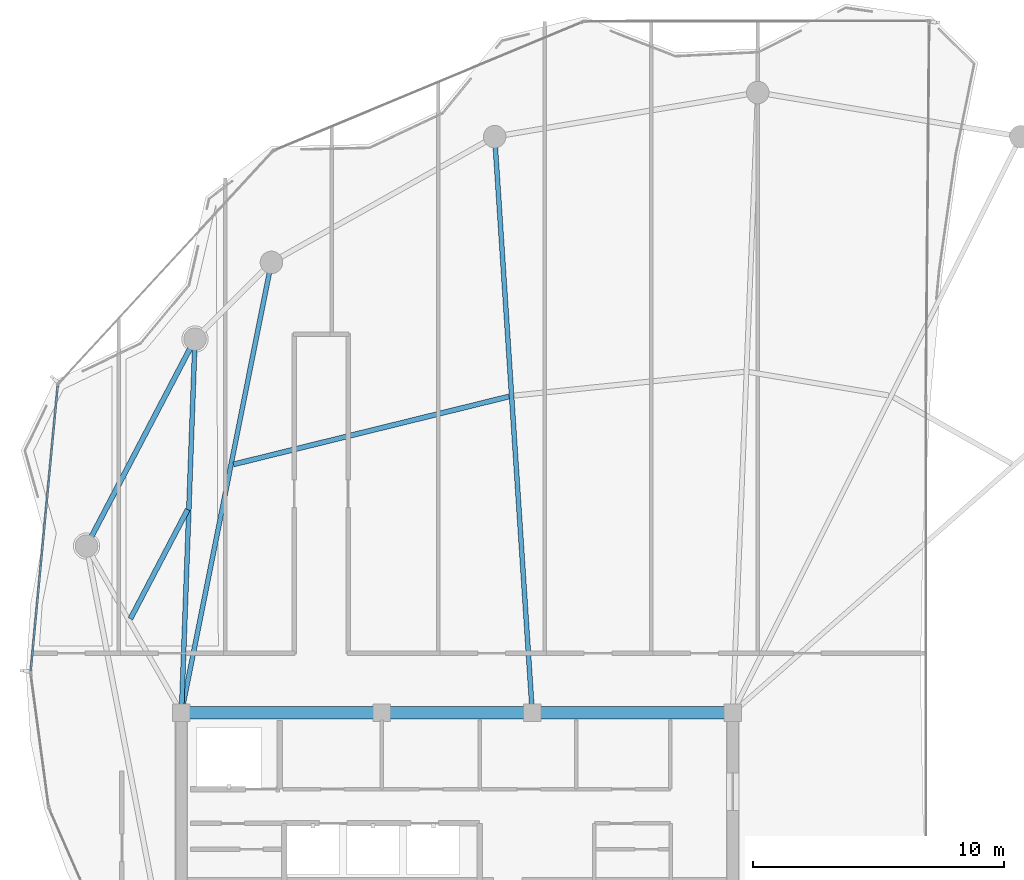
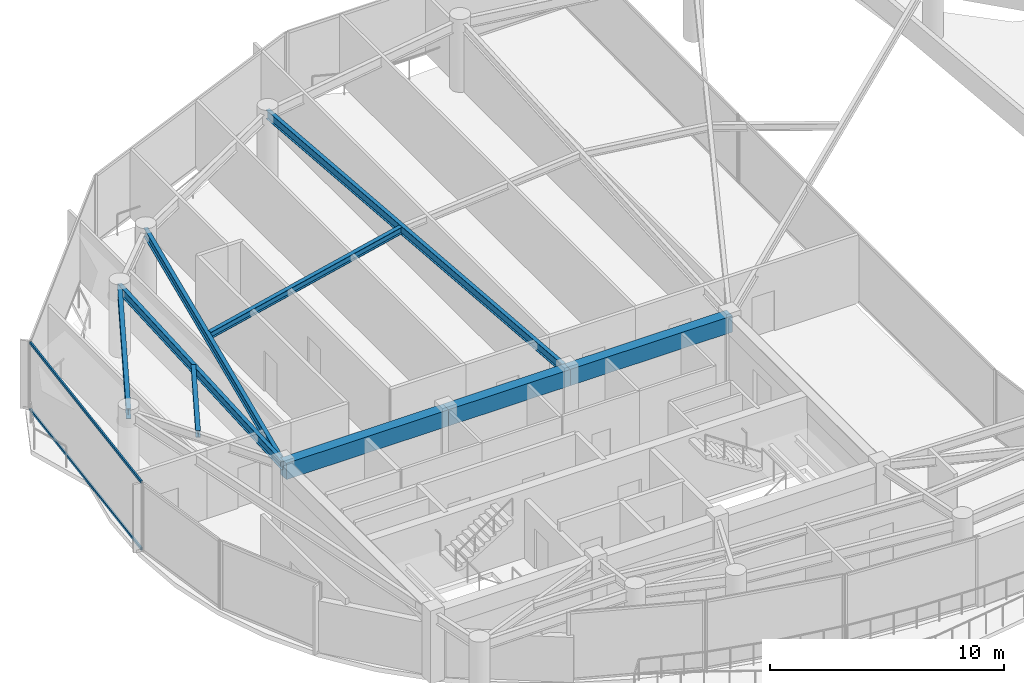
# One storey, part 9 of 23: 9 beams, 2 members, 1 element without a shape of its own.
"""IFC4 building model written with IfcOpenShell, lengths in metres."""

import ifcopenshell
import ifcopenshell.guid

model = None  # the IFC model being written
_history = None  # IfcOwnerHistory: only IFC2X3 demands one
_inside = {}  # id of a spatial element -> (the spatial element, [elements in it])
_under = {}  # id of a project, library or spatial element -> (it, [spatial elements below it])
_declared = {}  # id of a project -> (the project, [libraries it declares])
_typed = {}  # id of a type object -> (the type object, [elements of that type])
_made_of = {}  # id of a material, layer set ... -> (it, [elements and type objects made of it])


def new_model(schema):
    """Start an empty IFC model of exactly this schema.

    Asked for "IFC4X3", IfcOpenShell would pick the latest addendum, in which some entities
    have other attributes; the version numbers below select the first issue.
    IFC2X3 requires an IfcOwnerHistory on every rooted entity: one is made here for all.
    """
    global model, _history
    if schema == "IFC4X3":
        model = ifcopenshell.file(schema_version=(4, 3, 0, 0))
    else:
        model = ifcopenshell.file(schema=schema)
    _inside.clear()
    _under.clear()
    _declared.clear()
    _typed.clear()
    _made_of.clear()
    _history = None
    if model.schema == "IFC2X3":
        org = make("IfcOrganization", Name="unknown")
        user = make(
            "IfcPersonAndOrganization",
            ThePerson=make("IfcPerson", FamilyName="unknown"),
            TheOrganization=org,
        )
        app = make(
            "IfcApplication",
            ApplicationDeveloper=org,
            Version="unknown",
            ApplicationFullName="unknown",
            ApplicationIdentifier="unknown",
        )
        _history = make(
            "IfcOwnerHistory",
            OwningUser=user,
            OwningApplication=app,
            ChangeAction="ADDED",
            CreationDate=0,
        )
    return model


def make(cls, **values):
    """One entity of the class cls with the attributes given. An attribute that is None is left unset."""
    return model.create_entity(
        cls, **{name: value for name, value in values.items() if value is not None}
    )


def rooted(cls, **values):
    """An entity with a GlobalId (a new one), such as an element, a storey or a relation."""
    return make(cls, GlobalId=ifcopenshell.guid.new(), OwnerHistory=_history, **values)


def si_unit(unit_type, name, prefix=None):
    """IfcSIUnit, for example si_unit("LENGTHUNIT", "METRE", prefix="MILLI")."""
    return make("IfcSIUnit", UnitType=unit_type, Prefix=prefix, Name=name)


def assignment(units):
    """IfcUnitAssignment: the units of a project."""
    return None if units is None else make("IfcUnitAssignment", Units=units)


def point(xyz):
    """IfcCartesianPoint."""
    return None if xyz is None else make("IfcCartesianPoint", Coordinates=xyz)


def direction(xyz):
    """IfcDirection."""
    return None if xyz is None else make("IfcDirection", DirectionRatios=xyz)


def frame(location, z_axis=None, x_axis=None):
    """IfcAxis2Placement3D, a coordinate frame: its origin and axes. An axis left out is left unset."""
    return make(
        "IfcAxis2Placement3D",
        Location=point(location),
        Axis=direction(z_axis),
        RefDirection=direction(x_axis),
    )


def frame_2d(location, x_axis=None):
    """IfcAxis2Placement2D, a coordinate frame in the plane: its origin and x axis."""
    return make(
        "IfcAxis2Placement2D", Location=point(location), RefDirection=direction(x_axis)
    )


def origin():
    """The frame at (0, 0, 0) with its axes left unset."""
    return frame((0.0, 0.0, 0.0))


def origin_2d():
    """The frame at (0, 0) in the plane with its x axis left unset."""
    return frame_2d((0.0, 0.0))


def place(relative_to, where):
    """IfcLocalPlacement: puts the frame where relative to a parent placement (None: the world)."""
    return make(
        "IfcLocalPlacement", PlacementRelTo=relative_to, RelativePlacement=where
    )


def context(
    kind, dimensions, precision=None, world=None, true_north=None, identifier=None
):
    """IfcGeometricRepresentationContext, for example the 3D "Model" context."""
    return make(
        "IfcGeometricRepresentationContext",
        ContextIdentifier=identifier,
        ContextType=kind,
        CoordinateSpaceDimension=dimensions,
        Precision=precision,
        WorldCoordinateSystem=world,
        TrueNorth=true_north,
    )


def subcontext(parent, identifier, kind, view, scale=None):
    """IfcGeometricRepresentationSubContext, for example "Body" below "Model"."""
    return make(
        "IfcGeometricRepresentationSubContext",
        ContextIdentifier=identifier,
        ContextType=kind,
        ParentContext=parent,
        TargetScale=scale,
        TargetView=view,
    )


def project(units=None, contexts=None):
    """IfcProject with its units and contexts."""
    return rooted(
        "IfcProject",
        Name="project",
        RepresentationContexts=contexts,
        UnitsInContext=assignment(units),
    )


def spatial(cls, under=None, at=None, **own):
    """A site, building, storey or space (cls), placed at a placement, below another one or the project."""
    s = rooted(cls, ObjectPlacement=at, **own)
    if under is not None:
        _under.setdefault(under.id(), (under, []))[1].append(s)
    return s


def profile(cls, at=None, kind="AREA", **sizes):
    """A parametric profile (cls). Its sizes go by their IFC names, for example OverallWidth=200.0."""
    return make(cls, ProfileType=kind, Position=at, **sizes)


def rectangle(**sizes):
    """IfcRectangleProfileDef."""
    return profile("IfcRectangleProfileDef", **sizes)


def hollow_rectangle(**sizes):
    """IfcRectangleHollowProfileDef."""
    return profile("IfcRectangleHollowProfileDef", **sizes)


def i_section(**sizes):
    """IfcIShapeProfileDef."""
    return profile("IfcIShapeProfileDef", **sizes)


def extrude(swept, where, along, depth):
    """IfcExtrudedAreaSolid: the profile swept, set in the frame where, extruded along a direction by depth."""
    return make(
        "IfcExtrudedAreaSolid",
        SweptArea=swept,
        Position=where,
        ExtrudedDirection=direction(along),
        Depth=depth,
    )


def shape(context_of_items, identifier, shape_type, items):
    """IfcShapeRepresentation: the items that make up one representation, for example the "Body"."""
    return make(
        "IfcShapeRepresentation",
        ContextOfItems=context_of_items,
        RepresentationIdentifier=identifier,
        RepresentationType=shape_type,
        Items=items,
    )


def material(Name=None, Category=None):
    """IfcMaterial."""
    return make("IfcMaterial", Name=Name, Category=Category)


def layer(
    of_material, thickness, ventilated=None, Name=None, Category=None, Priority=None
):
    """IfcMaterialLayer: one layer of a wall or slab, of a material (None: an air gap)."""
    return make(
        "IfcMaterialLayer",
        Material=of_material,
        LayerThickness=thickness,
        IsVentilated=ventilated,
        Name=Name,
        Category=Category,
        Priority=Priority,
    )


def layer_set(layers, Name=None):
    """IfcMaterialLayerSet."""
    return make("IfcMaterialLayerSet", MaterialLayers=layers, LayerSetName=Name)


def material_profile(
    of_material, cross_section, Name=None, Category=None, Priority=None
):
    """IfcMaterialProfile: a cross section and its material."""
    return make(
        "IfcMaterialProfile",
        Name=Name,
        Material=of_material,
        Profile=cross_section,
        Priority=Priority,
        Category=Category,
    )


def profile_set(profiles, Name=None, composite=None):
    """IfcMaterialProfileSet."""
    return make(
        "IfcMaterialProfileSet",
        Name=Name,
        MaterialProfiles=profiles,
        CompositeProfile=composite,
    )


def made_of(thing, what):
    """Note that an element or type object is made of a material, layer set ...; save() writes the relation."""
    if what is not None:
        _made_of.setdefault(what.id(), (what, []))[1].append(thing)
    return thing


def type_object(cls, material=None, **own):
    """A type object (cls), such as IfcWallType, which elements share."""
    return made_of(rooted(cls, **own), material)


def element(
    cls,
    number,
    at=None,
    inside=None,
    cuts=None,
    type_object=None,
    material=None,
    context=None,
    identifier="Body",
    shape_type=None,
    held_by="IfcProductDefinitionShape",
    body=None,
    shapes=None,
    **own,
):
    """One element of the class cls, such as IfcWall. Its Tag is "e" and its number.

    at: its placement. inside: the storey or other place that contains it. cuts: it is an
    opening in that element (IfcRelVoidsElement). A single representation is given by context,
    identifier, shape_type and body (its items); several are given by shapes. held_by: the class
    of the entity that holds the representations. save() writes the other relations.
    """
    e = rooted(cls, Tag="e%d" % number, ObjectPlacement=at, **own)
    if body is not None:
        shapes = [shape(context, identifier, shape_type, body)]
    if shapes is not None:
        e.Representation = make(held_by, Representations=shapes)
    if inside is not None:
        _inside.setdefault(inside.id(), (inside, []))[1].append(e)
    if cuts is not None:
        rooted(
            "IfcRelVoidsElement", RelatingBuildingElement=cuts, RelatedOpeningElement=e
        )
    if type_object is not None:
        _typed.setdefault(type_object.id(), (type_object, []))[1].append(e)
    return made_of(e, material)


def aggregate(whole, parts):
    """IfcRelAggregates: a whole, such as a stair, and the parts it consists of."""
    return rooted("IfcRelAggregates", RelatingObject=whole, RelatedObjects=parts)


def save(model, path):
    """Write the relations noted so far, then the file.

    IfcRelAggregates (storeys below a building ...), IfcRelContainedInSpatialStructure (elements
    in a storey), IfcRelDefinesByType, IfcRelAssociatesMaterial and IfcRelDeclares: one each for
    every whole, place, type object, material and project.
    """
    for whole, parts in _under.values():
        aggregate(whole, parts)
    for where, things in _inside.values():
        rooted(
            "IfcRelContainedInSpatialStructure",
            RelatedElements=things,
            RelatingStructure=where,
        )
    for kind, things in _typed.values():
        rooted("IfcRelDefinesByType", RelatedObjects=things, RelatingType=kind)
    for what, things in _made_of.values():
        rooted("IfcRelAssociatesMaterial", RelatedObjects=things, RelatingMaterial=what)
    for by, libraries in _declared.values():
        rooted("IfcRelDeclares", RelatingContext=by, RelatedDefinitions=libraries)
    model.write(path)


model = new_model("IFC4")

# Units and contexts
model_context = context("Model", 3, precision=1e-05, world=origin(), true_north=direction((0.0, 1.0)))
body_context = subcontext(model_context, "Body", "Model", "MODEL_VIEW")
ifc_project = project(units=[si_unit("LENGTHUNIT", "METRE"), si_unit("AREAUNIT", "SQUARE_METRE"), si_unit("VOLUMEUNIT", "CUBIC_METRE"), si_unit("PLANEANGLEUNIT", "RADIAN"), si_unit("MASSUNIT", "GRAM", prefix="KILO")], contexts=[model_context])

# Site, building, storey
site_placement = place(None, origin())
site = spatial("IfcSite", under=ifc_project, at=site_placement, CompositionType="ELEMENT")
building_placement = place(site_placement, origin())
building = spatial("IfcBuilding", under=site, at=building_placement, Name="Kazevale Care Tower and Concert Hall", CompositionType="ELEMENT")
storey_placement = place(building_placement, frame((0.0, 0.0, 270.0)))
storey = spatial("IfcBuildingStorey", under=building, at=storey_placement, Name="L71", CompositionType="ELEMENT", Elevation=270.0)

# Curtain wall, members
ifc_material_1 = material(Name="Aluminium 6063-T6 and Low-E Glass", Category="aluminium")
ifc_layer = layer(ifc_material_1, 0.179931640625)
ifc_layer_set = layer_set([ifc_layer], Name="Aluminium 6063-T6 and Low-E Glass")
curtain_wall_type = type_object("IfcCurtainWallType", Name="Waist & Upper Residential Curtain Wall CW-4", PredefinedType="NOTDEFINED", material=ifc_layer_set)
curtain_wall_placement = place(storey_placement, origin())
curtain_wall = element("IfcCurtainWall", 1, at=curtain_wall_placement, inside=storey, type_object=curtain_wall_type, Name="cw:L71:f09", PredefinedType="NOTDEFINED")
ifc_material_2 = material(Name="Aluminium 6063-T6", Category="aluminium")
ifc_material_profile_1 = material_profile(ifc_material_2, hollow_rectangle(XDim=0.080078125, YDim=0.139892578125, WallThickness=0.00390625, at=origin_2d()), Name="ALU80x140x4")
ifc_profile_set_1 = profile_set([ifc_material_profile_1], Name="Aluminium 6063-T6")
member_type = type_object("IfcMemberType", Name="CW-4 Transom ALU80x140x4", PredefinedType="USERDEFINED", material=ifc_profile_set_1)
member_1_placement = place(storey_placement, frame((15.987548828125, 38.07958984375, 0.0400390625), z_axis=(0.094240412588, 0.995549468703, 0.0), x_axis=(-0.995549468703, 0.094240412588, 0.0)))
member_1 = element("IfcMember", 2, at=member_1_placement, type_object=member_type, Name="CW-4 transom 1.1", ObjectType="TRANSOM", PredefinedType="USERDEFINED", context=body_context, shape_type="SweptSolid", body=[
    extrude(hollow_rectangle(XDim=0.080078125, YDim=0.139892578125, WallThickness=0.00390625, at=origin_2d()), origin(), (0.0, 0.0, 1.0), 11.406494140625),
])
member_2_placement = place(storey_placement, frame((15.987548828125, 38.07958984375, 3.52001953125), z_axis=(0.094240412588, 0.995549468703, 0.0), x_axis=(-0.995549468703, 0.094240412588, 0.0)))
member_2 = element("IfcMember", 3, at=member_2_placement, type_object=member_type, Name="CW-4 transom 1.2", ObjectType="TRANSOM", PredefinedType="USERDEFINED", context=body_context, shape_type="SweptSolid", body=[
    extrude(hollow_rectangle(XDim=0.080078125, YDim=0.139892578125, WallThickness=0.00390625, at=origin_2d()), origin(), (0.0, 0.0, 1.0), 11.406494140625),
])
aggregate(curtain_wall, [member_1, member_2])

# Beams
ifc_material_3 = material(Name="Concrete C60", Category="concrete")
ifc_material_profile_2 = material_profile(ifc_material_3, rectangle(XDim=0.5, YDim=0.85009765625, at=origin_2d()), Name="RC-B500x850")
ifc_profile_set_2 = profile_set([ifc_material_profile_2], Name="Concrete C60")
beam_type_1 = type_object("IfcBeamType", Name="Core Coupling Beam RC500x850", PredefinedType="LINTEL", material=ifc_profile_set_2)
beam_1_placement = place(storey_placement, frame((44.0, 36.39990234375, 3.135009765625), z_axis=(-1.0, 0.0, 0.0), x_axis=(0.0, -1.0, 0.0)))
element("IfcBeam", 4, at=beam_1_placement, inside=storey, type_object=beam_type_1, Name="beam:L71:coretie:5", PredefinedType="LINTEL", context=body_context, shape_type="SweptSolid", body=[
    extrude(rectangle(XDim=0.5, YDim=0.85009765625, at=origin_2d()), origin(), (0.0, 0.0, 1.0), 8.0),
])
beam_2_placement = place(storey_placement, frame((36.0, 36.39990234375, 3.135009765625), z_axis=(-1.0, 0.0, 0.0), x_axis=(0.0, -1.0, 0.0)))
element("IfcBeam", 5, at=beam_2_placement, inside=storey, type_object=beam_type_1, Name="beam:L71:coretie:6", PredefinedType="LINTEL", context=body_context, shape_type="SweptSolid", body=[
    extrude(rectangle(XDim=0.5, YDim=0.85009765625, at=origin_2d()), origin(), (0.0, 0.0, 1.0), 6.0),
])
beam_3_placement = place(storey_placement, frame((30.0, 36.39990234375, 3.135009765625), z_axis=(-1.0, 0.0, 0.0), x_axis=(0.0, -1.0, 0.0)))
element("IfcBeam", 6, at=beam_3_placement, inside=storey, type_object=beam_type_1, Name="beam:L71:coretie:7", PredefinedType="LINTEL", context=body_context, shape_type="SweptSolid", body=[
    extrude(rectangle(XDim=0.5, YDim=0.85009765625, at=origin_2d()), origin(), (0.0, 0.0, 1.0), 8.0),
])
ifc_material_4 = material(Name="Steel ASTM A572 Gr 50", Category="steel")
ifc_material_profile_3 = material_profile(ifc_material_4, i_section(OverallWidth=0.19091796875, OverallDepth=0.4599609375, WebThickness=0.010009765625, FlangeThickness=0.01611328125, at=origin_2d()), Name="W460x82")
ifc_profile_set_3 = profile_set([ifc_material_profile_3], Name="Steel ASTM A572 Gr 50")
beam_type_2 = type_object("IfcBeamType", Name="Radial Floor Beam W460x82", PredefinedType="BEAM", material=ifc_profile_set_3)
beam_4_placement = place(storey_placement, frame((36.0, 36.39990234375, 3.330078125), z_axis=(-0.0651073525, 0.997878265446, 0.0), x_axis=(-0.997878265446, -0.0651073525, 0.0)))
element("IfcBeam", 7, at=beam_4_placement, inside=storey, type_object=beam_type_2, Name="beam:L71:rad:06", PredefinedType="BEAM", context=body_context, shape_type="SweptSolid", body=[
    extrude(i_section(OverallWidth=0.19091796875, OverallDepth=0.4599609375, WebThickness=0.010009765625, FlangeThickness=0.01611328125, at=origin_2d()), origin(), (0.0, 0.0, 1.0), 23.038818359375),
])
beam_5_placement = place(storey_placement, frame((22.0, 36.39990234375, 3.330078125), z_axis=(0.195908605871, 0.980622158706, 0.0), x_axis=(-0.980622158706, 0.195908605871, 0.0)))
element("IfcBeam", 8, at=beam_5_placement, inside=storey, type_object=beam_type_2, Name="beam:L71:rad:07", PredefinedType="BEAM", context=body_context, shape_type="SweptSolid", body=[
    extrude(i_section(OverallWidth=0.19091796875, OverallDepth=0.4599609375, WebThickness=0.010009765625, FlangeThickness=0.01611328125, at=origin_2d()), origin(), (0.0, 0.0, 1.0), 18.325439453125),
])
beam_6_placement = place(storey_placement, frame((22.0, 36.39990234375, 3.330078125), z_axis=(0.036195810092, 0.999344716968, 0.0), x_axis=(-0.999344716968, 0.036195810092, 0.0)))
element("IfcBeam", 9, at=beam_6_placement, inside=storey, type_object=beam_type_2, Name="beam:L71:rad:08", PredefinedType="BEAM", context=body_context, shape_type="SweptSolid", body=[
    extrude(i_section(OverallWidth=0.19091796875, OverallDepth=0.4599609375, WebThickness=0.010009765625, FlangeThickness=0.01611328125, at=origin_2d()), origin(), (0.0, 0.0, 1.0), 14.919921875),
])
ifc_material_profile_4 = material_profile(ifc_material_4, i_section(OverallWidth=0.205078125, OverallDepth=0.35400390625, WebThickness=0.009521484375, FlangeThickness=0.016845703125, at=origin_2d()), Name="W360x79")
ifc_profile_set_4 = profile_set([ifc_material_profile_4], Name="Steel ASTM A572 Gr 50")
beam_type_3 = type_object("IfcBeamType", Name="Secondary Floor Joist W360x79", PredefinedType="JOIST", material=ifc_profile_set_4)
beam_7_placement = place(storey_placement, frame((35.072998046875, 49.01904296875, 3.383056640625), z_axis=(-0.970953581022, -0.239267932452, 0.0), x_axis=(0.239267932452, -0.970953581022, 0.0)))
element("IfcBeam", 10, at=beam_7_placement, inside=storey, type_object=beam_type_3, Name="beam:L71:joist:06", PredefinedType="JOIST", context=body_context, shape_type="SweptSolid", body=[
    extrude(i_section(OverallWidth=0.205078125, OverallDepth=0.35400390625, WebThickness=0.009521484375, FlangeThickness=0.016845703125, at=origin_2d()), origin(), (0.0, 0.0, 1.0), 11.326171875),
])
beam_8_placement = place(storey_placement, frame((22.248046875, 44.508056640625, 3.383056640625), z_axis=(-0.46418126854, -0.885740227119, 0.0), x_axis=(0.885740227119, -0.46418126854, 0.0)))
element("IfcBeam", 11, at=beam_8_placement, inside=storey, type_object=beam_type_3, Name="beam:L71:joist:08", PredefinedType="JOIST", context=body_context, shape_type="SweptSolid", body=[
    extrude(i_section(OverallWidth=0.205078125, OverallDepth=0.35400390625, WebThickness=0.009521484375, FlangeThickness=0.016845703125, at=origin_2d()), origin(), (0.0, 0.0, 1.0), 4.92041015625),
])
ifc_material_profile_5 = material_profile(ifc_material_4, i_section(OverallWidth=0.208984375, OverallDepth=0.532958984375, WebThickness=0.01025390625, FlangeThickness=0.015625, at=origin_2d()), Name="W530x92")
ifc_profile_set_5 = profile_set([ifc_material_profile_5], Name="Steel ASTM A572 Gr 50")
beam_type_4 = type_object("IfcBeamType", Name="Upper Ring Beam W530x92", PredefinedType="BEAM", material=ifc_profile_set_5)
beam_9_placement = place(storey_placement, frame((22.5400390625, 51.31005859375, 3.29345703125), z_axis=(-0.464293577914, -0.885681361161, 0.0), x_axis=(0.885681361161, -0.464293577914, 0.0)))
element("IfcBeam", 12, at=beam_9_placement, inside=storey, type_object=beam_type_4, Name="beam:L71:ring:08", PredefinedType="BEAM", context=body_context, shape_type="SweptSolid", body=[
    extrude(i_section(OverallWidth=0.208984375, OverallDepth=0.532958984375, WebThickness=0.01025390625, FlangeThickness=0.015625, at=origin_2d()), origin(), (0.0, 0.0, 1.0), 9.326171875),
])

save(model, "model.ifc")
